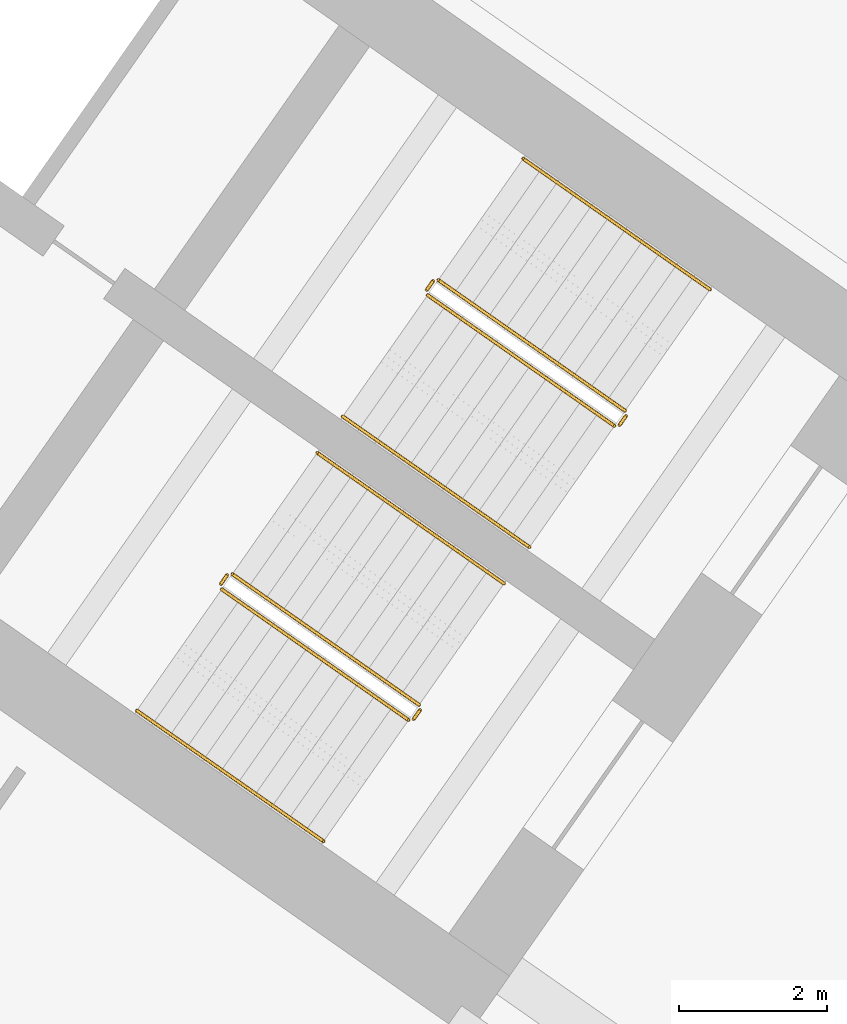
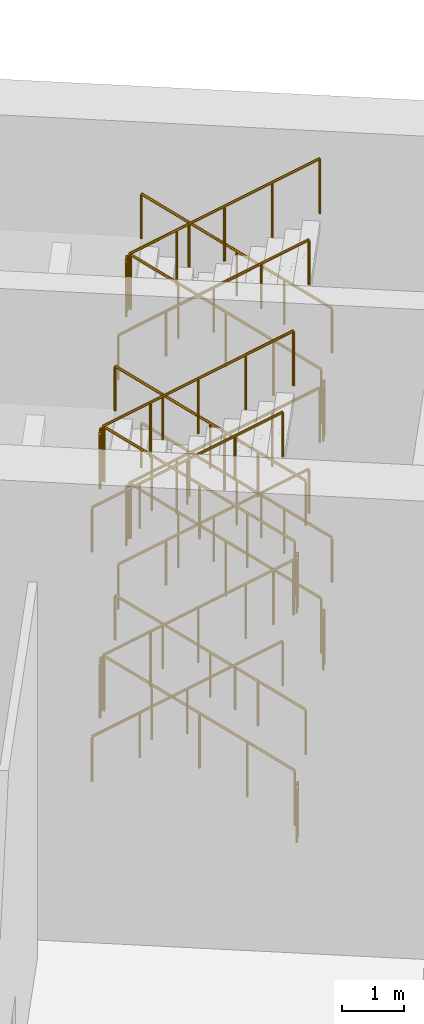
# One storey, part 36 of 37: 24 railings.
"""IFC4 building model written with IfcOpenShell, lengths in metres."""

import ifcopenshell
import ifcopenshell.guid

model = None  # the IFC model being written
_history = None  # IfcOwnerHistory: only IFC2X3 demands one
_inside = {}  # id of a spatial element -> (the spatial element, [elements in it])
_under = {}  # id of a project, library or spatial element -> (it, [spatial elements below it])
_declared = {}  # id of a project -> (the project, [libraries it declares])
_typed = {}  # id of a type object -> (the type object, [elements of that type])
_made_of = {}  # id of a material, layer set ... -> (it, [elements and type objects made of it])


def new_model(schema):
    """Start an empty IFC model of exactly this schema.

    Asked for "IFC4X3", IfcOpenShell would pick the latest addendum, in which some entities
    have other attributes; the version numbers below select the first issue.
    IFC2X3 requires an IfcOwnerHistory on every rooted entity: one is made here for all.
    """
    global model, _history
    if schema == "IFC4X3":
        model = ifcopenshell.file(schema_version=(4, 3, 0, 0))
    else:
        model = ifcopenshell.file(schema=schema)
    _inside.clear()
    _under.clear()
    _declared.clear()
    _typed.clear()
    _made_of.clear()
    _history = None
    if model.schema == "IFC2X3":
        org = make("IfcOrganization", Name="unknown")
        user = make(
            "IfcPersonAndOrganization",
            ThePerson=make("IfcPerson", FamilyName="unknown"),
            TheOrganization=org,
        )
        app = make(
            "IfcApplication",
            ApplicationDeveloper=org,
            Version="unknown",
            ApplicationFullName="unknown",
            ApplicationIdentifier="unknown",
        )
        _history = make(
            "IfcOwnerHistory",
            OwningUser=user,
            OwningApplication=app,
            ChangeAction="ADDED",
            CreationDate=0,
        )
    return model


def make(cls, **values):
    """One entity of the class cls with the attributes given. An attribute that is None is left unset."""
    return model.create_entity(
        cls, **{name: value for name, value in values.items() if value is not None}
    )


def rooted(cls, **values):
    """An entity with a GlobalId (a new one), such as an element, a storey or a relation."""
    return make(cls, GlobalId=ifcopenshell.guid.new(), OwnerHistory=_history, **values)


def si_unit(unit_type, name, prefix=None):
    """IfcSIUnit, for example si_unit("LENGTHUNIT", "METRE", prefix="MILLI")."""
    return make("IfcSIUnit", UnitType=unit_type, Prefix=prefix, Name=name)


def assignment(units):
    """IfcUnitAssignment: the units of a project."""
    return None if units is None else make("IfcUnitAssignment", Units=units)


def point(xyz):
    """IfcCartesianPoint."""
    return None if xyz is None else make("IfcCartesianPoint", Coordinates=xyz)


def direction(xyz):
    """IfcDirection."""
    return None if xyz is None else make("IfcDirection", DirectionRatios=xyz)


def frame(location, z_axis=None, x_axis=None):
    """IfcAxis2Placement3D, a coordinate frame: its origin and axes. An axis left out is left unset."""
    return make(
        "IfcAxis2Placement3D",
        Location=point(location),
        Axis=direction(z_axis),
        RefDirection=direction(x_axis),
    )


def frame_2d(location, x_axis=None):
    """IfcAxis2Placement2D, a coordinate frame in the plane: its origin and x axis."""
    return make(
        "IfcAxis2Placement2D", Location=point(location), RefDirection=direction(x_axis)
    )


def origin():
    """The frame at (0, 0, 0) with its axes left unset."""
    return frame((0.0, 0.0, 0.0))


def origin_2d():
    """The frame at (0, 0) in the plane with its x axis left unset."""
    return frame_2d((0.0, 0.0))


def place(relative_to, where):
    """IfcLocalPlacement: puts the frame where relative to a parent placement (None: the world)."""
    return make(
        "IfcLocalPlacement", PlacementRelTo=relative_to, RelativePlacement=where
    )


def context(
    kind, dimensions, precision=None, world=None, true_north=None, identifier=None
):
    """IfcGeometricRepresentationContext, for example the 3D "Model" context."""
    return make(
        "IfcGeometricRepresentationContext",
        ContextIdentifier=identifier,
        ContextType=kind,
        CoordinateSpaceDimension=dimensions,
        Precision=precision,
        WorldCoordinateSystem=world,
        TrueNorth=true_north,
    )


def subcontext(parent, identifier, kind, view, scale=None):
    """IfcGeometricRepresentationSubContext, for example "Body" below "Model"."""
    return make(
        "IfcGeometricRepresentationSubContext",
        ContextIdentifier=identifier,
        ContextType=kind,
        ParentContext=parent,
        TargetScale=scale,
        TargetView=view,
    )


def project(units=None, contexts=None):
    """IfcProject with its units and contexts."""
    return rooted(
        "IfcProject",
        Name="project",
        RepresentationContexts=contexts,
        UnitsInContext=assignment(units),
    )


def spatial(cls, under=None, at=None, **own):
    """A site, building, storey or space (cls), placed at a placement, below another one or the project."""
    s = rooted(cls, ObjectPlacement=at, **own)
    if under is not None:
        _under.setdefault(under.id(), (under, []))[1].append(s)
    return s


def profile(cls, at=None, kind="AREA", **sizes):
    """A parametric profile (cls). Its sizes go by their IFC names, for example OverallWidth=200.0."""
    return make(cls, ProfileType=kind, Position=at, **sizes)


def circle(**sizes):
    """IfcCircleProfileDef."""
    return profile("IfcCircleProfileDef", **sizes)


def extrude(swept, where, along, depth):
    """IfcExtrudedAreaSolid: the profile swept, set in the frame where, extruded along a direction by depth."""
    return make(
        "IfcExtrudedAreaSolid",
        SweptArea=swept,
        Position=where,
        ExtrudedDirection=direction(along),
        Depth=depth,
    )


def shape(context_of_items, identifier, shape_type, items):
    """IfcShapeRepresentation: the items that make up one representation, for example the "Body"."""
    return make(
        "IfcShapeRepresentation",
        ContextOfItems=context_of_items,
        RepresentationIdentifier=identifier,
        RepresentationType=shape_type,
        Items=items,
    )


def material(Name=None, Category=None):
    """IfcMaterial."""
    return make("IfcMaterial", Name=Name, Category=Category)


def made_of(thing, what):
    """Note that an element or type object is made of a material, layer set ...; save() writes the relation."""
    if what is not None:
        _made_of.setdefault(what.id(), (what, []))[1].append(thing)
    return thing


def type_object(cls, material=None, **own):
    """A type object (cls), such as IfcWallType, which elements share."""
    return made_of(rooted(cls, **own), material)


def element(
    cls,
    number,
    at=None,
    inside=None,
    cuts=None,
    type_object=None,
    material=None,
    context=None,
    identifier="Body",
    shape_type=None,
    held_by="IfcProductDefinitionShape",
    body=None,
    shapes=None,
    **own,
):
    """One element of the class cls, such as IfcWall. Its Tag is "e" and its number.

    at: its placement. inside: the storey or other place that contains it. cuts: it is an
    opening in that element (IfcRelVoidsElement). A single representation is given by context,
    identifier, shape_type and body (its items); several are given by shapes. held_by: the class
    of the entity that holds the representations. save() writes the other relations.
    """
    e = rooted(cls, Tag="e%d" % number, ObjectPlacement=at, **own)
    if body is not None:
        shapes = [shape(context, identifier, shape_type, body)]
    if shapes is not None:
        e.Representation = make(held_by, Representations=shapes)
    if inside is not None:
        _inside.setdefault(inside.id(), (inside, []))[1].append(e)
    if cuts is not None:
        rooted(
            "IfcRelVoidsElement", RelatingBuildingElement=cuts, RelatedOpeningElement=e
        )
    if type_object is not None:
        _typed.setdefault(type_object.id(), (type_object, []))[1].append(e)
    return made_of(e, material)


def aggregate(whole, parts):
    """IfcRelAggregates: a whole, such as a stair, and the parts it consists of."""
    return rooted("IfcRelAggregates", RelatingObject=whole, RelatedObjects=parts)


def save(model, path):
    """Write the relations noted so far, then the file.

    IfcRelAggregates (storeys below a building ...), IfcRelContainedInSpatialStructure (elements
    in a storey), IfcRelDefinesByType, IfcRelAssociatesMaterial and IfcRelDeclares: one each for
    every whole, place, type object, material and project.
    """
    for whole, parts in _under.values():
        aggregate(whole, parts)
    for where, things in _inside.values():
        rooted(
            "IfcRelContainedInSpatialStructure",
            RelatedElements=things,
            RelatingStructure=where,
        )
    for kind, things in _typed.values():
        rooted("IfcRelDefinesByType", RelatedObjects=things, RelatingType=kind)
    for what, things in _made_of.values():
        rooted("IfcRelAssociatesMaterial", RelatedObjects=things, RelatingMaterial=what)
    for by, libraries in _declared.values():
        rooted("IfcRelDeclares", RelatingContext=by, RelatedDefinitions=libraries)
    model.write(path)


model = new_model("IFC4")

# Units and contexts
model_context = context("Model", 3, precision=1e-05, world=origin(), true_north=direction((0.0, 1.0)))
body_context = subcontext(model_context, "Body", "Model", "MODEL_VIEW")
ifc_project = project(units=[si_unit("LENGTHUNIT", "METRE"), si_unit("AREAUNIT", "SQUARE_METRE"), si_unit("VOLUMEUNIT", "CUBIC_METRE"), si_unit("PLANEANGLEUNIT", "RADIAN"), si_unit("MASSUNIT", "GRAM", prefix="KILO")], contexts=[model_context])

# Site, building, storey
site_placement = place(None, origin())
site = spatial("IfcSite", under=ifc_project, at=site_placement, CompositionType="ELEMENT")
building_placement = place(site_placement, origin())
building = spatial("IfcBuilding", under=site, at=building_placement, Name="Tel Ilan Convention Tower", CompositionType="ELEMENT")
storey_placement = place(building_placement, origin())
storey = spatial("IfcBuildingStorey", under=building, at=storey_placement, Name="L00", CompositionType="ELEMENT", Elevation=0.0)

# Railings
ifc_material_1 = material(Name="Stainless Steel Grade 316", Category="steel")
railing_type_1 = type_object("IfcRailingType", Name="Stainless Steel Stair Guard 1100 mm", PredefinedType="GUARDRAIL", material=ifc_material_1)
railing_1_placement = place(storey_placement, frame((23.6787109375, -7.8515625, 0.1875)))
element("IfcRailing", 1, at=railing_1_placement, inside=storey, type_object=railing_type_1, Name="L00 S3 stair guard 1", PredefinedType="GUARDRAIL", context=body_context, shape_type="SweptSolid", body=[
    extrude(circle(Radius=0.02392578125, at=origin_2d()), frame((0.0, 0.0, 1.076171875), z_axis=(-0.680634867305, 0.476589307124, 0.556416040158), x_axis=(-0.573579377721, -0.819149984711, 0.0)), (0.0, 0.0, 1.0), 3.706787109375),
    extrude(circle(Radius=0.02099609375, at=origin_2d()), origin(), (0.0, 0.0, 1.0), 1.052001953125),
    extrude(circle(Radius=0.02099609375, at=origin_2d()), frame((-0.630859375, 0.441650390625, 0.515625)), (0.0, 0.0, 1.0), 1.052001953125),
    extrude(circle(Radius=0.02099609375, at=origin_2d()), frame((-1.261474609375, 0.88330078125, 1.03125)), (0.0, 0.0, 1.0), 1.052001953125),
    extrude(circle(Radius=0.02099609375, at=origin_2d()), frame((-1.89208984375, 1.324951171875, 1.546875)), (0.0, 0.0, 1.0), 1.052001953125),
    extrude(circle(Radius=0.02099609375, at=origin_2d()), frame((-2.52294921875, 1.7666015625, 2.0625)), (0.0, 0.0, 1.0), 1.052001953125),
])
railing_2_placement = place(storey_placement, frame((21.086181640625, -6.09716796875, 2.25)))
element("IfcRailing", 2, at=railing_2_placement, inside=storey, type_object=railing_type_1, Name="L00 S3 stair guard 2", PredefinedType="GUARDRAIL", context=body_context, shape_type="SweptSolid", body=[
    extrude(circle(Radius=0.02392578125, at=origin_2d()), frame((0.0, 0.0, 1.076171875), z_axis=(-0.573353020881, -0.819308436089, 0.0), x_axis=(0.819308436089, -0.573353020881, 0.0)), (0.0, 0.0, 1.0), 0.14990234375),
    extrude(circle(Radius=0.02099609375, at=origin_2d()), origin(), (0.0, 0.0, 1.0), 1.052001953125),
    extrude(circle(Radius=0.02099609375, at=origin_2d()), frame((-0.0859375, -0.122802734375, 0.0)), (0.0, 0.0, 1.0), 1.052001953125),
])
railing_3_placement = place(storey_placement, frame((21.012451171875, -6.289794921875, 2.4375)))
element("IfcRailing", 3, at=railing_3_placement, inside=storey, type_object=railing_type_1, Name="L00 S3 stair guard 3", PredefinedType="GUARDRAIL", context=body_context, shape_type="SweptSolid", body=[
    extrude(circle(Radius=0.02392578125, at=origin_2d()), frame((0.0, 0.0, 1.076171875), z_axis=(0.680634867305, -0.476589307124, 0.556416040158), x_axis=(0.573579377721, 0.819149984711, 0.0)), (0.0, 0.0, 1.0), 3.706787109375),
    extrude(circle(Radius=0.02099609375, at=origin_2d()), origin(), (0.0, 0.0, 1.0), 1.052001953125),
    extrude(circle(Radius=0.02099609375, at=origin_2d()), frame((0.630859375, -0.441650390625, 0.515625)), (0.0, 0.0, 1.0), 1.052001953125),
    extrude(circle(Radius=0.02099609375, at=origin_2d()), frame((1.261474609375, -0.88330078125, 1.03125)), (0.0, 0.0, 1.0), 1.052001953125),
    extrude(circle(Radius=0.02099609375, at=origin_2d()), frame((1.89208984375, -1.324951171875, 1.546875)), (0.0, 0.0, 1.0), 1.052001953125),
    extrude(circle(Radius=0.02099609375, at=origin_2d()), frame((2.52294921875, -1.7666015625, 2.0625)), (0.0, 0.0, 1.0), 1.052001953125),
])
railing_4_placement = place(storey_placement, frame((23.691162109375, -7.921142578125, 4.5)))
element("IfcRailing", 4, at=railing_4_placement, inside=storey, type_object=railing_type_1, Name="L00 S3 stair guard 4", PredefinedType="GUARDRAIL", context=body_context, shape_type="SweptSolid", body=[
    extrude(circle(Radius=0.02392578125, at=origin_2d()), frame((0.0, 0.0, 1.076171875), z_axis=(-0.574444878118, -0.818543268254, 0.0), x_axis=(0.818543268254, -0.574444878118, 0.0)), (0.0, 0.0, 1.0), 0.150146484375),
    extrude(circle(Radius=0.02099609375, at=origin_2d()), origin(), (0.0, 0.0, 1.0), 1.052001953125),
    extrude(circle(Radius=0.02099609375, at=origin_2d()), frame((-0.086181640625, -0.122802734375, 0.0)), (0.0, 0.0, 1.0), 1.052001953125),
])
railing_5_placement = place(storey_placement, frame((23.6787109375, -7.8515625, 4.6875)))
element("IfcRailing", 5, at=railing_5_placement, inside=storey, type_object=railing_type_1, Name="L00 S3 stair guard 5", PredefinedType="GUARDRAIL", context=body_context, shape_type="SweptSolid", body=[
    extrude(circle(Radius=0.02392578125, at=origin_2d()), frame((0.0, 0.0, 1.076171875), z_axis=(-0.680634867305, 0.476589307124, 0.556416040158), x_axis=(-0.573579377721, -0.819149984711, 0.0)), (0.0, 0.0, 1.0), 3.706787109375),
    extrude(circle(Radius=0.02099609375, at=origin_2d()), origin(), (0.0, 0.0, 1.0), 1.052001953125),
    extrude(circle(Radius=0.02099609375, at=origin_2d()), frame((-0.630859375, 0.441650390625, 0.515625)), (0.0, 0.0, 1.0), 1.052001953125),
    extrude(circle(Radius=0.02099609375, at=origin_2d()), frame((-1.261474609375, 0.88330078125, 1.03125)), (0.0, 0.0, 1.0), 1.052001953125),
    extrude(circle(Radius=0.02099609375, at=origin_2d()), frame((-1.89208984375, 1.324951171875, 1.546875)), (0.0, 0.0, 1.0), 1.052001953125),
    extrude(circle(Radius=0.02099609375, at=origin_2d()), frame((-2.52294921875, 1.7666015625, 2.0625)), (0.0, 0.0, 1.0), 1.052001953125),
])
railing_6_placement = place(storey_placement, frame((21.086181640625, -6.09716796875, 6.75)))
element("IfcRailing", 6, at=railing_6_placement, inside=storey, type_object=railing_type_1, Name="L00 S3 stair guard 6", PredefinedType="GUARDRAIL", context=body_context, shape_type="SweptSolid", body=[
    extrude(circle(Radius=0.02392578125, at=origin_2d()), frame((0.0, 0.0, 1.076171875), z_axis=(-0.573353020881, -0.819308436089, 0.0), x_axis=(0.819308436089, -0.573353020881, 0.0)), (0.0, 0.0, 1.0), 0.14990234375),
    extrude(circle(Radius=0.02099609375, at=origin_2d()), origin(), (0.0, 0.0, 1.0), 1.052001953125),
    extrude(circle(Radius=0.02099609375, at=origin_2d()), frame((-0.0859375, -0.122802734375, 0.0)), (0.0, 0.0, 1.0), 1.052001953125),
])
railing_7_placement = place(storey_placement, frame((21.012451171875, -6.289794921875, 6.9375)))
element("IfcRailing", 7, at=railing_7_placement, inside=storey, type_object=railing_type_1, Name="L00 S3 stair guard 7", PredefinedType="GUARDRAIL", context=body_context, shape_type="SweptSolid", body=[
    extrude(circle(Radius=0.02392578125, at=origin_2d()), frame((0.0, 0.0, 1.076171875), z_axis=(0.680634867305, -0.476589307124, 0.556416040158), x_axis=(0.573579377721, 0.819149984711, 0.0)), (0.0, 0.0, 1.0), 3.706787109375),
    extrude(circle(Radius=0.02099609375, at=origin_2d()), origin(), (0.0, 0.0, 1.0), 1.052001953125),
    extrude(circle(Radius=0.02099609375, at=origin_2d()), frame((0.630859375, -0.441650390625, 0.515625)), (0.0, 0.0, 1.0), 1.052001953125),
    extrude(circle(Radius=0.02099609375, at=origin_2d()), frame((1.261474609375, -0.88330078125, 1.03125)), (0.0, 0.0, 1.0), 1.052001953125),
    extrude(circle(Radius=0.02099609375, at=origin_2d()), frame((1.89208984375, -1.324951171875, 1.546875)), (0.0, 0.0, 1.0), 1.052001953125),
    extrude(circle(Radius=0.02099609375, at=origin_2d()), frame((2.52294921875, -1.7666015625, 2.0625)), (0.0, 0.0, 1.0), 1.052001953125),
])
railing_8_placement = place(storey_placement, frame((23.691162109375, -7.921142578125, 0.0)))
element("IfcRailing", 8, at=railing_8_placement, inside=storey, type_object=railing_type_1, Name="L00 S3 stair guard 8", PredefinedType="GUARDRAIL", context=body_context, shape_type="SweptSolid", body=[
    extrude(circle(Radius=0.02392578125, at=origin_2d()), frame((0.0, 0.0, 1.076171875), z_axis=(-0.574444878118, -0.818543268254, 0.0), x_axis=(0.818543268254, -0.574444878118, 0.0)), (0.0, 0.0, 1.0), 0.150146484375),
    extrude(circle(Radius=0.02099609375, at=origin_2d()), origin(), (0.0, 0.0, 1.0), 1.052001953125),
    extrude(circle(Radius=0.02099609375, at=origin_2d()), frame((-0.086181640625, -0.122802734375, 0.0)), (0.0, 0.0, 1.0), 1.052001953125),
])
railing_9_placement = place(storey_placement, frame((20.89697265625, -11.824462890625, 0.1875)))
element("IfcRailing", 9, at=railing_9_placement, inside=storey, type_object=railing_type_1, Name="L00 S4 stair guard 1", PredefinedType="GUARDRAIL", context=body_context, shape_type="SweptSolid", body=[
    extrude(circle(Radius=0.02392578125, at=origin_2d()), frame((0.0, 0.0, 1.076171875), z_axis=(-0.680634867305, 0.476589307124, 0.556416040158), x_axis=(-0.573579377721, -0.819149984711, 0.0)), (0.0, 0.0, 1.0), 3.706787109375),
    extrude(circle(Radius=0.02099609375, at=origin_2d()), origin(), (0.0, 0.0, 1.0), 1.052001953125),
    extrude(circle(Radius=0.02099609375, at=origin_2d()), frame((-0.630859375, 0.441650390625, 0.515625)), (0.0, 0.0, 1.0), 1.052001953125),
    extrude(circle(Radius=0.02099609375, at=origin_2d()), frame((-1.261474609375, 0.88330078125, 1.03125)), (0.0, 0.0, 1.0), 1.052001953125),
    extrude(circle(Radius=0.02099609375, at=origin_2d()), frame((-1.89208984375, 1.324951171875, 1.546875)), (0.0, 0.0, 1.0), 1.052001953125),
    extrude(circle(Radius=0.02099609375, at=origin_2d()), frame((-2.52294921875, 1.7666015625, 2.0625)), (0.0, 0.0, 1.0), 1.052001953125),
])
railing_10_placement = place(storey_placement, frame((18.304443359375, -10.070068359375, 2.25)))
element("IfcRailing", 10, at=railing_10_placement, inside=storey, type_object=railing_type_1, Name="L00 S4 stair guard 2", PredefinedType="GUARDRAIL", context=body_context, shape_type="SweptSolid", body=[
    extrude(circle(Radius=0.02392578125, at=origin_2d()), frame((0.0, 0.0, 1.076171875), z_axis=(-0.574444878118, -0.818543268254, 0.0), x_axis=(0.818543268254, -0.574444878118, 0.0)), (0.0, 0.0, 1.0), 0.150146484375),
    extrude(circle(Radius=0.02099609375, at=origin_2d()), origin(), (0.0, 0.0, 1.0), 1.052001953125),
    extrude(circle(Radius=0.02099609375, at=origin_2d()), frame((-0.086181640625, -0.122802734375, 0.0)), (0.0, 0.0, 1.0), 1.052001953125),
])
railing_11_placement = place(storey_placement, frame((18.23046875, -10.2626953125, 2.4375)))
element("IfcRailing", 11, at=railing_11_placement, inside=storey, type_object=railing_type_1, Name="L00 S4 stair guard 3", PredefinedType="GUARDRAIL", context=body_context, shape_type="SweptSolid", body=[
    extrude(circle(Radius=0.02392578125, at=origin_2d()), frame((0.0, 0.0, 1.076171875), z_axis=(0.680670216326, -0.476567942461, 0.556391097003), x_axis=(0.573542135923, 0.819176060637, 0.0)), (0.0, 0.0, 1.0), 3.70703125),
    extrude(circle(Radius=0.02099609375, at=origin_2d()), origin(), (0.0, 0.0, 1.0), 1.052001953125),
    extrude(circle(Radius=0.02099609375, at=origin_2d()), frame((0.630859375, -0.441650390625, 0.515625)), (0.0, 0.0, 1.0), 1.052001953125),
    extrude(circle(Radius=0.02099609375, at=origin_2d()), frame((1.26171875, -0.88330078125, 1.03125)), (0.0, 0.0, 1.0), 1.052001953125),
    extrude(circle(Radius=0.02099609375, at=origin_2d()), frame((1.892333984375, -1.324951171875, 1.546875)), (0.0, 0.0, 1.0), 1.052001953125),
    extrude(circle(Radius=0.02099609375, at=origin_2d()), frame((2.523193359375, -1.7666015625, 2.0625)), (0.0, 0.0, 1.0), 1.052001953125),
])
railing_12_placement = place(storey_placement, frame((20.9091796875, -11.89404296875, 4.5)))
element("IfcRailing", 12, at=railing_12_placement, inside=storey, type_object=railing_type_1, Name="L00 S4 stair guard 4", PredefinedType="GUARDRAIL", context=body_context, shape_type="SweptSolid", body=[
    extrude(circle(Radius=0.02392578125, at=origin_2d()), frame((0.0, 0.0, 1.076171875), z_axis=(-0.573353020881, -0.819308436089, 0.0), x_axis=(0.819308436089, -0.573353020881, 0.0)), (0.0, 0.0, 1.0), 0.14990234375),
    extrude(circle(Radius=0.02099609375, at=origin_2d()), origin(), (0.0, 0.0, 1.0), 1.052001953125),
    extrude(circle(Radius=0.02099609375, at=origin_2d()), frame((-0.0859375, -0.122802734375, 0.0)), (0.0, 0.0, 1.0), 1.052001953125),
])
railing_13_placement = place(storey_placement, frame((20.89697265625, -11.824462890625, 4.6875)))
element("IfcRailing", 13, at=railing_13_placement, inside=storey, type_object=railing_type_1, Name="L00 S4 stair guard 5", PredefinedType="GUARDRAIL", context=body_context, shape_type="SweptSolid", body=[
    extrude(circle(Radius=0.02392578125, at=origin_2d()), frame((0.0, 0.0, 1.076171875), z_axis=(-0.680634867305, 0.476589307124, 0.556416040158), x_axis=(-0.573579377721, -0.819149984711, 0.0)), (0.0, 0.0, 1.0), 3.706787109375),
    extrude(circle(Radius=0.02099609375, at=origin_2d()), origin(), (0.0, 0.0, 1.0), 1.052001953125),
    extrude(circle(Radius=0.02099609375, at=origin_2d()), frame((-0.630859375, 0.441650390625, 0.515625)), (0.0, 0.0, 1.0), 1.052001953125),
    extrude(circle(Radius=0.02099609375, at=origin_2d()), frame((-1.261474609375, 0.88330078125, 1.03125)), (0.0, 0.0, 1.0), 1.052001953125),
    extrude(circle(Radius=0.02099609375, at=origin_2d()), frame((-1.89208984375, 1.324951171875, 1.546875)), (0.0, 0.0, 1.0), 1.052001953125),
    extrude(circle(Radius=0.02099609375, at=origin_2d()), frame((-2.52294921875, 1.7666015625, 2.0625)), (0.0, 0.0, 1.0), 1.052001953125),
])
railing_14_placement = place(storey_placement, frame((18.304443359375, -10.070068359375, 6.75)))
element("IfcRailing", 14, at=railing_14_placement, inside=storey, type_object=railing_type_1, Name="L00 S4 stair guard 6", PredefinedType="GUARDRAIL", context=body_context, shape_type="SweptSolid", body=[
    extrude(circle(Radius=0.02392578125, at=origin_2d()), frame((0.0, 0.0, 1.076171875), z_axis=(-0.574444878118, -0.818543268254, 0.0), x_axis=(0.818543268254, -0.574444878118, 0.0)), (0.0, 0.0, 1.0), 0.150146484375),
    extrude(circle(Radius=0.02099609375, at=origin_2d()), origin(), (0.0, 0.0, 1.0), 1.052001953125),
    extrude(circle(Radius=0.02099609375, at=origin_2d()), frame((-0.086181640625, -0.122802734375, 0.0)), (0.0, 0.0, 1.0), 1.052001953125),
])
railing_15_placement = place(storey_placement, frame((18.23046875, -10.2626953125, 6.9375)))
element("IfcRailing", 15, at=railing_15_placement, inside=storey, type_object=railing_type_1, Name="L00 S4 stair guard 7", PredefinedType="GUARDRAIL", context=body_context, shape_type="SweptSolid", body=[
    extrude(circle(Radius=0.02392578125, at=origin_2d()), frame((0.0, 0.0, 1.076171875), z_axis=(0.680670216326, -0.476567942461, 0.556391097003), x_axis=(0.573542135923, 0.819176060637, 0.0)), (0.0, 0.0, 1.0), 3.70703125),
    extrude(circle(Radius=0.02099609375, at=origin_2d()), origin(), (0.0, 0.0, 1.0), 1.052001953125),
    extrude(circle(Radius=0.02099609375, at=origin_2d()), frame((0.630859375, -0.441650390625, 0.515625)), (0.0, 0.0, 1.0), 1.052001953125),
    extrude(circle(Radius=0.02099609375, at=origin_2d()), frame((1.26171875, -0.88330078125, 1.03125)), (0.0, 0.0, 1.0), 1.052001953125),
    extrude(circle(Radius=0.02099609375, at=origin_2d()), frame((1.892333984375, -1.324951171875, 1.546875)), (0.0, 0.0, 1.0), 1.052001953125),
    extrude(circle(Radius=0.02099609375, at=origin_2d()), frame((2.523193359375, -1.7666015625, 2.0625)), (0.0, 0.0, 1.0), 1.052001953125),
])
railing_16_placement = place(storey_placement, frame((20.9091796875, -11.89404296875, 0.0)))
element("IfcRailing", 16, at=railing_16_placement, inside=storey, type_object=railing_type_1, Name="L00 S4 stair guard 8", PredefinedType="GUARDRAIL", context=body_context, shape_type="SweptSolid", body=[
    extrude(circle(Radius=0.02392578125, at=origin_2d()), frame((0.0, 0.0, 1.076171875), z_axis=(-0.573353020881, -0.819308436089, 0.0), x_axis=(0.819308436089, -0.573353020881, 0.0)), (0.0, 0.0, 1.0), 0.14990234375),
    extrude(circle(Radius=0.02099609375, at=origin_2d()), origin(), (0.0, 0.0, 1.0), 1.052001953125),
    extrude(circle(Radius=0.02099609375, at=origin_2d()), frame((-0.0859375, -0.122802734375, 0.0)), (0.0, 0.0, 1.0), 1.052001953125),
])
ifc_material_2 = material(Name="Stainless Steel Grade 316", Category="steel")
railing_type_2 = type_object("IfcRailingType", Name="Stainless Steel Stair Handrail 900 mm", PredefinedType="HANDRAIL", material=ifc_material_2)
railing_17_placement = place(storey_placement, frame((24.825927734375, -6.213134765625, 0.1875)))
element("IfcRailing", 17, at=railing_17_placement, inside=storey, type_object=railing_type_2, Name="L00 S3 stair handrail 1", PredefinedType="HANDRAIL", context=body_context, shape_type="SweptSolid", body=[
    extrude(circle(Radius=0.02392578125, at=origin_2d()), frame((0.0, 0.0, 0.8759765625), z_axis=(-0.680634867305, 0.476589307124, 0.556416040158), x_axis=(-0.573579377721, -0.819149984711, 0.0)), (0.0, 0.0, 1.0), 3.706787109375),
    extrude(circle(Radius=0.02099609375, at=origin_2d()), origin(), (0.0, 0.0, 1.0), 0.851806640625),
    extrude(circle(Radius=0.02099609375, at=origin_2d()), frame((-0.630859375, 0.441650390625, 0.515625)), (0.0, 0.0, 1.0), 0.851806640625),
    extrude(circle(Radius=0.02099609375, at=origin_2d()), frame((-1.261474609375, 0.88330078125, 1.03125)), (0.0, 0.0, 1.0), 0.851806640625),
    extrude(circle(Radius=0.02099609375, at=origin_2d()), frame((-1.89208984375, 1.324951171875, 1.546875)), (0.0, 0.0, 1.0), 0.851806640625),
    extrude(circle(Radius=0.02099609375, at=origin_2d()), frame((-2.52294921875, 1.7666015625, 2.0625)), (0.0, 0.0, 1.0), 0.851806640625),
])
railing_18_placement = place(storey_placement, frame((19.865234375, -7.927978515625, 2.4375)))
element("IfcRailing", 18, at=railing_18_placement, inside=storey, type_object=railing_type_2, Name="L00 S3 stair handrail 2", PredefinedType="HANDRAIL", context=body_context, shape_type="SweptSolid", body=[
    extrude(circle(Radius=0.02392578125, at=origin_2d()), frame((0.0, 0.0, 0.8759765625), z_axis=(0.680634867305, -0.476589307124, 0.556416040158), x_axis=(0.573579377721, 0.819149984711, 0.0)), (0.0, 0.0, 1.0), 3.706787109375),
    extrude(circle(Radius=0.02099609375, at=origin_2d()), origin(), (0.0, 0.0, 1.0), 0.851806640625),
    extrude(circle(Radius=0.02099609375, at=origin_2d()), frame((0.630859375, -0.441650390625, 0.515625)), (0.0, 0.0, 1.0), 0.851806640625),
    extrude(circle(Radius=0.02099609375, at=origin_2d()), frame((1.261474609375, -0.88330078125, 1.03125)), (0.0, 0.0, 1.0), 0.851806640625),
    extrude(circle(Radius=0.02099609375, at=origin_2d()), frame((1.89208984375, -1.324951171875, 1.546875)), (0.0, 0.0, 1.0), 0.851806640625),
    extrude(circle(Radius=0.02099609375, at=origin_2d()), frame((2.52294921875, -1.7666015625, 2.0625)), (0.0, 0.0, 1.0), 0.851806640625),
])
railing_19_placement = place(storey_placement, frame((24.825927734375, -6.213134765625, 4.6875)))
element("IfcRailing", 19, at=railing_19_placement, inside=storey, type_object=railing_type_2, Name="L00 S3 stair handrail 3", PredefinedType="HANDRAIL", context=body_context, shape_type="SweptSolid", body=[
    extrude(circle(Radius=0.02392578125, at=origin_2d()), frame((0.0, 0.0, 0.8759765625), z_axis=(-0.680634867305, 0.476589307124, 0.556416040158), x_axis=(-0.573579377721, -0.819149984711, 0.0)), (0.0, 0.0, 1.0), 3.706787109375),
    extrude(circle(Radius=0.02099609375, at=origin_2d()), origin(), (0.0, 0.0, 1.0), 0.851806640625),
    extrude(circle(Radius=0.02099609375, at=origin_2d()), frame((-0.630859375, 0.441650390625, 0.515625)), (0.0, 0.0, 1.0), 0.851806640625),
    extrude(circle(Radius=0.02099609375, at=origin_2d()), frame((-1.261474609375, 0.88330078125, 1.03125)), (0.0, 0.0, 1.0), 0.851806640625),
    extrude(circle(Radius=0.02099609375, at=origin_2d()), frame((-1.89208984375, 1.324951171875, 1.546875)), (0.0, 0.0, 1.0), 0.851806640625),
    extrude(circle(Radius=0.02099609375, at=origin_2d()), frame((-2.52294921875, 1.7666015625, 2.0625)), (0.0, 0.0, 1.0), 0.851806640625),
])
railing_20_placement = place(storey_placement, frame((19.865234375, -7.927978515625, 6.9375)))
element("IfcRailing", 20, at=railing_20_placement, inside=storey, type_object=railing_type_2, Name="L00 S3 stair handrail 4", PredefinedType="HANDRAIL", context=body_context, shape_type="SweptSolid", body=[
    extrude(circle(Radius=0.02392578125, at=origin_2d()), frame((0.0, 0.0, 0.8759765625), z_axis=(0.680634867305, -0.476589307124, 0.556416040158), x_axis=(0.573579377721, 0.819149984711, 0.0)), (0.0, 0.0, 1.0), 3.706787109375),
    extrude(circle(Radius=0.02099609375, at=origin_2d()), origin(), (0.0, 0.0, 1.0), 0.851806640625),
    extrude(circle(Radius=0.02099609375, at=origin_2d()), frame((0.630859375, -0.441650390625, 0.515625)), (0.0, 0.0, 1.0), 0.851806640625),
    extrude(circle(Radius=0.02099609375, at=origin_2d()), frame((1.261474609375, -0.88330078125, 1.03125)), (0.0, 0.0, 1.0), 0.851806640625),
    extrude(circle(Radius=0.02099609375, at=origin_2d()), frame((1.89208984375, -1.324951171875, 1.546875)), (0.0, 0.0, 1.0), 0.851806640625),
    extrude(circle(Radius=0.02099609375, at=origin_2d()), frame((2.52294921875, -1.7666015625, 2.0625)), (0.0, 0.0, 1.0), 0.851806640625),
])
railing_21_placement = place(storey_placement, frame((22.044189453125, -10.18603515625, 0.1875)))
element("IfcRailing", 21, at=railing_21_placement, inside=storey, type_object=railing_type_2, Name="L00 S4 stair handrail 1", PredefinedType="HANDRAIL", context=body_context, shape_type="SweptSolid", body=[
    extrude(circle(Radius=0.02392578125, at=origin_2d()), frame((0.0, 0.0, 0.8759765625), z_axis=(-0.680634867305, 0.476589307124, 0.556416040158), x_axis=(-0.573579377721, -0.819149984711, 0.0)), (0.0, 0.0, 1.0), 3.706787109375),
    extrude(circle(Radius=0.02099609375, at=origin_2d()), origin(), (0.0, 0.0, 1.0), 0.851806640625),
    extrude(circle(Radius=0.02099609375, at=origin_2d()), frame((-0.630859375, 0.441650390625, 0.515625)), (0.0, 0.0, 1.0), 0.851806640625),
    extrude(circle(Radius=0.02099609375, at=origin_2d()), frame((-1.261474609375, 0.88330078125, 1.03125)), (0.0, 0.0, 1.0), 0.851806640625),
    extrude(circle(Radius=0.02099609375, at=origin_2d()), frame((-1.89208984375, 1.324951171875, 1.546875)), (0.0, 0.0, 1.0), 0.851806640625),
    extrude(circle(Radius=0.02099609375, at=origin_2d()), frame((-2.52294921875, 1.7666015625, 2.0625)), (0.0, 0.0, 1.0), 0.851806640625),
])
railing_22_placement = place(storey_placement, frame((17.08349609375, -11.90087890625, 2.4375)))
element("IfcRailing", 22, at=railing_22_placement, inside=storey, type_object=railing_type_2, Name="L00 S4 stair handrail 2", PredefinedType="HANDRAIL", context=body_context, shape_type="SweptSolid", body=[
    extrude(circle(Radius=0.02392578125, at=origin_2d()), frame((0.0, 0.0, 0.8759765625), z_axis=(0.680634867305, -0.476589307124, 0.556416040158), x_axis=(0.573579377721, 0.819149984711, 0.0)), (0.0, 0.0, 1.0), 3.706787109375),
    extrude(circle(Radius=0.02099609375, at=origin_2d()), origin(), (0.0, 0.0, 1.0), 0.851806640625),
    extrude(circle(Radius=0.02099609375, at=origin_2d()), frame((0.630859375, -0.441650390625, 0.515625)), (0.0, 0.0, 1.0), 0.851806640625),
    extrude(circle(Radius=0.02099609375, at=origin_2d()), frame((1.261474609375, -0.88330078125, 1.03125)), (0.0, 0.0, 1.0), 0.851806640625),
    extrude(circle(Radius=0.02099609375, at=origin_2d()), frame((1.89208984375, -1.324951171875, 1.546875)), (0.0, 0.0, 1.0), 0.851806640625),
    extrude(circle(Radius=0.02099609375, at=origin_2d()), frame((2.52294921875, -1.7666015625, 2.0625)), (0.0, 0.0, 1.0), 0.851806640625),
])
railing_23_placement = place(storey_placement, frame((22.044189453125, -10.18603515625, 4.6875)))
element("IfcRailing", 23, at=railing_23_placement, inside=storey, type_object=railing_type_2, Name="L00 S4 stair handrail 3", PredefinedType="HANDRAIL", context=body_context, shape_type="SweptSolid", body=[
    extrude(circle(Radius=0.02392578125, at=origin_2d()), frame((0.0, 0.0, 0.8759765625), z_axis=(-0.680634867305, 0.476589307124, 0.556416040158), x_axis=(-0.573579377721, -0.819149984711, 0.0)), (0.0, 0.0, 1.0), 3.706787109375),
    extrude(circle(Radius=0.02099609375, at=origin_2d()), origin(), (0.0, 0.0, 1.0), 0.851806640625),
    extrude(circle(Radius=0.02099609375, at=origin_2d()), frame((-0.630859375, 0.441650390625, 0.515625)), (0.0, 0.0, 1.0), 0.851806640625),
    extrude(circle(Radius=0.02099609375, at=origin_2d()), frame((-1.261474609375, 0.88330078125, 1.03125)), (0.0, 0.0, 1.0), 0.851806640625),
    extrude(circle(Radius=0.02099609375, at=origin_2d()), frame((-1.89208984375, 1.324951171875, 1.546875)), (0.0, 0.0, 1.0), 0.851806640625),
    extrude(circle(Radius=0.02099609375, at=origin_2d()), frame((-2.52294921875, 1.7666015625, 2.0625)), (0.0, 0.0, 1.0), 0.851806640625),
])
railing_24_placement = place(storey_placement, frame((17.08349609375, -11.90087890625, 6.9375)))
element("IfcRailing", 24, at=railing_24_placement, inside=storey, type_object=railing_type_2, Name="L00 S4 stair handrail 4", PredefinedType="HANDRAIL", context=body_context, shape_type="SweptSolid", body=[
    extrude(circle(Radius=0.02392578125, at=origin_2d()), frame((0.0, 0.0, 0.8759765625), z_axis=(0.680634867305, -0.476589307124, 0.556416040158), x_axis=(0.573579377721, 0.819149984711, 0.0)), (0.0, 0.0, 1.0), 3.706787109375),
    extrude(circle(Radius=0.02099609375, at=origin_2d()), origin(), (0.0, 0.0, 1.0), 0.851806640625),
    extrude(circle(Radius=0.02099609375, at=origin_2d()), frame((0.630859375, -0.441650390625, 0.515625)), (0.0, 0.0, 1.0), 0.851806640625),
    extrude(circle(Radius=0.02099609375, at=origin_2d()), frame((1.261474609375, -0.88330078125, 1.03125)), (0.0, 0.0, 1.0), 0.851806640625),
    extrude(circle(Radius=0.02099609375, at=origin_2d()), frame((1.89208984375, -1.324951171875, 1.546875)), (0.0, 0.0, 1.0), 0.851806640625),
    extrude(circle(Radius=0.02099609375, at=origin_2d()), frame((2.52294921875, -1.7666015625, 2.0625)), (0.0, 0.0, 1.0), 0.851806640625),
])

save(model, "model.ifc")
